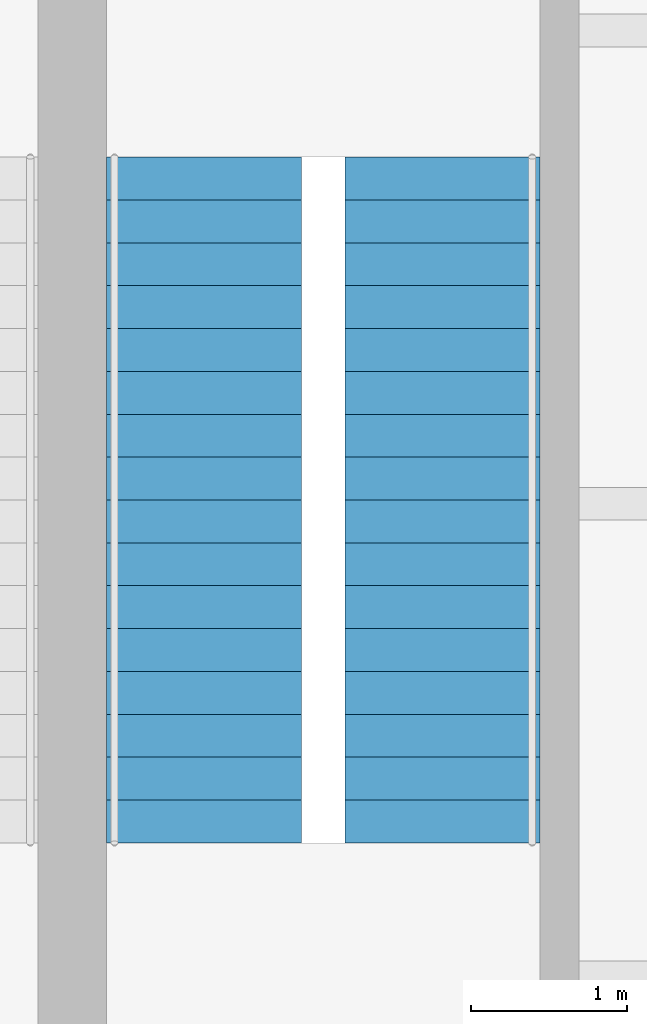
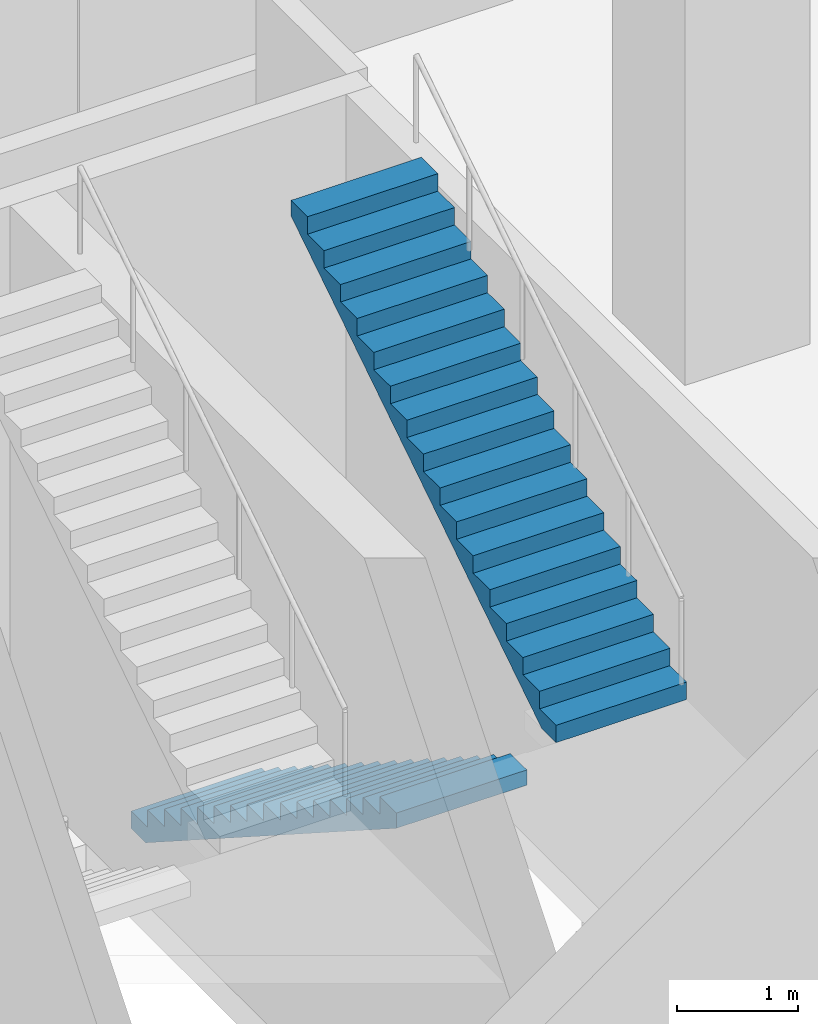
# One storey, part 40 of 41: 2 stair flights, 1 element without a shape of its own.
"""IFC4 building model written with IfcOpenShell, lengths in metres."""

from ifc_helpers import new_model, si_unit, direction, frame, origin, place, context, subcontext, project, spatial, polyline, outline, extrude, source, transform, mapped, material, type_object, element, aggregate, save


model = new_model("IFC4")

# Units and contexts
model_context = context("Model", 3, precision=1e-05, world=origin(), true_north=direction((0.0, 1.0)))
body_context = subcontext(model_context, "Body", "Model", "MODEL_VIEW")
ifc_project = project(units=[si_unit("LENGTHUNIT", "METRE"), si_unit("AREAUNIT", "SQUARE_METRE"), si_unit("VOLUMEUNIT", "CUBIC_METRE"), si_unit("PLANEANGLEUNIT", "RADIAN"), si_unit("MASSUNIT", "GRAM", prefix="KILO")], contexts=[model_context])

# Site, building, storey
site_placement = place(None, origin())
site = spatial("IfcSite", under=ifc_project, at=site_placement, CompositionType="ELEMENT")
building_placement = place(site_placement, origin())
building = spatial("IfcBuilding", under=site, at=building_placement, Name="Trellis Farm Tower", CompositionType="ELEMENT")
storey_placement = place(building_placement, frame((0.0, 0.0, 8.0)))
storey = spatial("IfcBuildingStorey", under=building, at=storey_placement, Name="L01", CompositionType="ELEMENT", Elevation=8.0)

# Stair, stair flights
ifc_material = material(Name="Concrete C50/60", Category="concrete")
stair_type = type_object("IfcStairType", Name="PODIUM EXIT STAIR 34 RISERS 176 MM 1250 WIDE", PredefinedType="HALF_TURN_STAIR", material=ifc_material)
stair_placement = place(storey_placement, origin())
stair = element("IfcStair", 1, at=stair_placement, inside=storey, type_object=stair_type, Name="Podium exit stair STP4B", PredefinedType="HALF_TURN_STAIR")
stair_flight_type = type_object("IfcStairFlightType", Name="PODIUM STAIR FLIGHT 17 RISERS 176 MM 1250 WIDE", PredefinedType="STRAIGHT", material=ifc_material)
shared_shape = source(origin(), body_context, "Body", "SweptSolid", [
    extrude(outline(polyline([(0.0, 0.0), (0.0, 0.176513671875), (0.27490234375, 0.176513671875), (0.27490234375, 0.35302734375), (0.550048828125, 0.35302734375), (0.550048828125, 0.529296875), (0.824951171875, 0.529296875), (0.824951171875, 0.705810546875), (1.10009765625, 0.705810546875), (1.10009765625, 0.88232421875), (1.375, 0.88232421875), (1.375, 1.058837890625), (1.64990234375, 1.058837890625), (1.64990234375, 1.2353515625), (1.925048828125, 1.2353515625), (1.925048828125, 1.411865234375), (2.199951171875, 1.411865234375), (2.199951171875, 1.588134765625), (2.47509765625, 1.588134765625), (2.47509765625, 1.7646484375), (2.75, 1.7646484375), (2.75, 1.941162109375), (3.02490234375, 1.941162109375), (3.02490234375, 2.11767578125), (3.300048828125, 2.11767578125), (3.300048828125, 2.294189453125), (3.574951171875, 2.294189453125), (3.574951171875, 2.470703125), (3.85009765625, 2.470703125), (3.85009765625, 2.64697265625), (4.125, 2.64697265625), (4.125, 2.823486328125), (4.39990234375, 2.823486328125), (4.39990234375, 3.0), (4.39990234375, 2.669189453125), (0.240478515625, 0.0), (0.0, 0.0)])), frame((0.0, 0.625, 0.0), z_axis=(0.0, -1.0, 0.0), x_axis=(1.0, 0.0, 0.0)), (0.0, 0.0, 1.0), 1.25),
])
stair_flight_1_placement = place(storey_placement, frame((23.594970703125, 26.89990234375, 0.0), z_axis=(0.0, 0.0, 1.0), x_axis=(0.0, -1.0, 0.0)))
stair_flight_1 = element("IfcStairFlight", 2, at=stair_flight_1_placement, type_object=stair_flight_type, Name="STP4B flight 1", NumberOfRisers=17, NumberOfTreads=16, PredefinedType="STRAIGHT", RiserHeight=0.176470588, TreadLength=0.275, context=body_context, shape_type="MappedRepresentation", body=[
    mapped(shared_shape, transform((0.0, 0.0, 0.0))),
])
stair_flight_2_placement = place(storey_placement, frame((25.125, 22.5, 3.0), z_axis=(0.0, 0.0, 1.0), x_axis=(0.0, 1.0, 0.0)))
stair_flight_2 = element("IfcStairFlight", 3, at=stair_flight_2_placement, type_object=stair_flight_type, Name="STP4B flight 2", NumberOfRisers=17, NumberOfTreads=16, PredefinedType="STRAIGHT", RiserHeight=0.176470588, TreadLength=0.275, context=body_context, shape_type="MappedRepresentation", body=[
    mapped(shared_shape, transform((0.0, 0.0, 0.0))),
])
aggregate(stair, [stair_flight_1, stair_flight_2])

save(model, "model.ifc")
